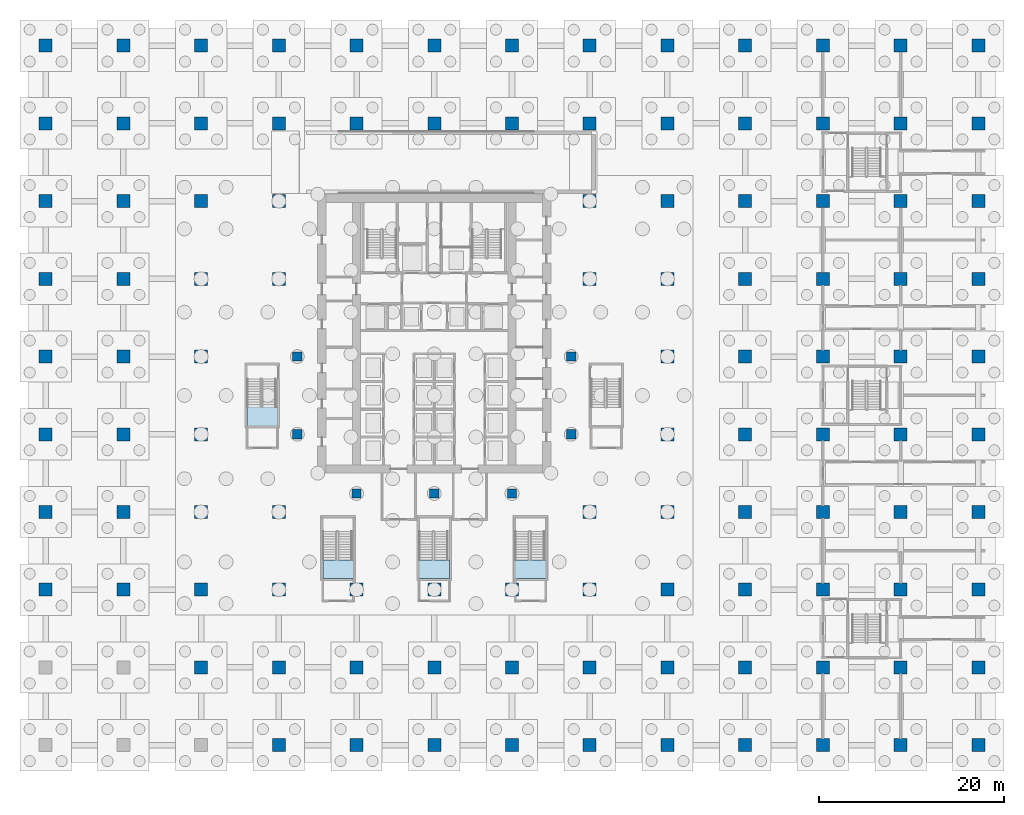
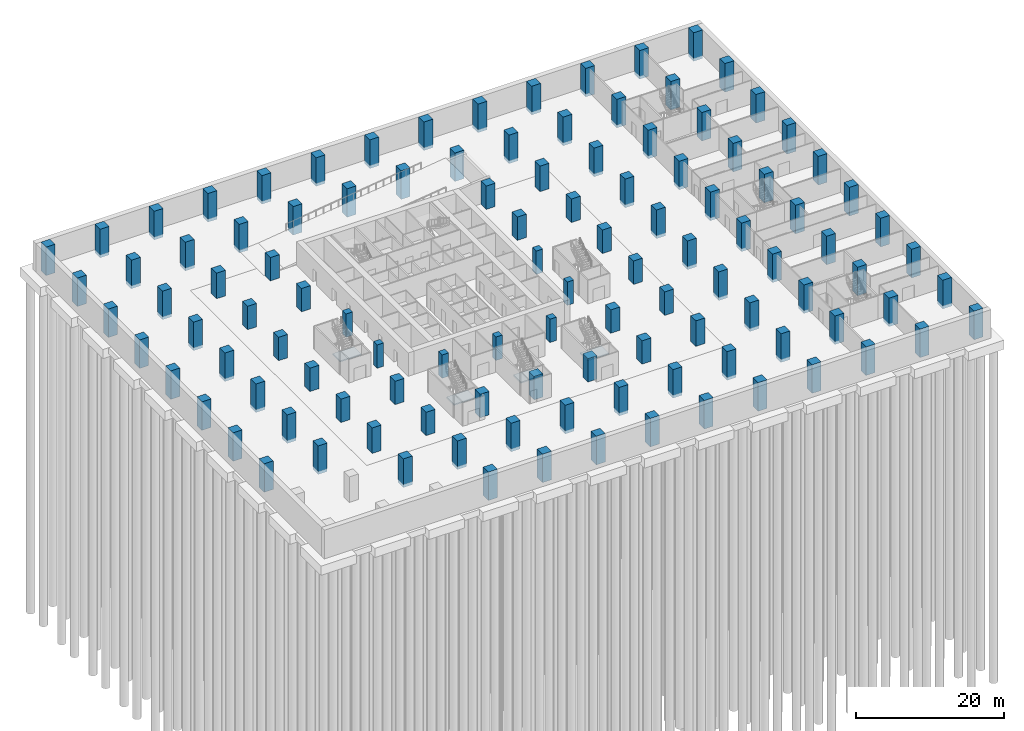
# One storey, part 7 of 22: 113 columns, 4 slabs, 4 elements without a shape of their own.
"""IFC4 building model written with IfcOpenShell, lengths in metres."""

from ifc_helpers import new_model, si_unit, direction, frame, origin, origin_2d, place, context, subcontext, project, spatial, polyline, rectangle, outline, extrude, material, layer, layer_set, material_profile, profile_set, type_object, element, aggregate, save


model = new_model("IFC4")

# Units and contexts
model_context = context("Model", 3, precision=1e-05, world=origin(), true_north=direction((0.0, 1.0)))
body_context = subcontext(model_context, "Body", "Model", "MODEL_VIEW")
ifc_project = project(units=[si_unit("LENGTHUNIT", "METRE"), si_unit("AREAUNIT", "SQUARE_METRE"), si_unit("VOLUMEUNIT", "CUBIC_METRE"), si_unit("PLANEANGLEUNIT", "RADIAN"), si_unit("MASSUNIT", "GRAM", prefix="KILO")], contexts=[model_context])

# Site, building, storey
site_placement = place(None, origin())
site = spatial("IfcSite", under=ifc_project, at=site_placement, CompositionType="ELEMENT")
building_placement = place(site_placement, origin())
building = spatial("IfcBuilding", under=site, at=building_placement, Name="Vermilion Ogive Tower", CompositionType="ELEMENT")
storey_placement = place(building_placement, frame((0.0, 0.0, -8.39990234375)))
storey = spatial("IfcBuildingStorey", under=building, at=storey_placement, Name="B2", CompositionType="ELEMENT", Elevation=-8.39990234375)

# Columns
ifc_material_1 = material(Name="Concrete B80", Category="concrete")
ifc_material_profile_1 = material_profile(ifc_material_1, rectangle(XDim=1.39990234375, YDim=1.39990234375, at=origin_2d()), Name="1400 x 1400")
ifc_profile_set_1 = profile_set([ifc_material_profile_1], Name="Concrete B80")
column_type_1 = type_object("IfcColumnType", Name="Perimeter column 1400 x 1400 B80", PredefinedType="COLUMN", material=ifc_profile_set_1)
for number, where, z_axis, x_axis, name in (
    (1, (-16.800048828125, -21.0, 0.0), (0.0, 0.0, 1.0), (1.0, 0.0, 0.0), "COL-B2-P-0168-210"),
    (2, (-8.39990234375, -21.0, 0.0), (0.0, 0.0, 1.0), (1.0, 0.0, 0.0), "COL-B2-P-0084-210"),
    (3, (0.0, -21.0, 0.0), (0.0, 0.0, 1.0), (1.0, 0.0, 0.0), "COL-B2-P+0000-210"),
    (4, (8.39990234375, -21.0, 0.0), (0.0, 0.0, 1.0), (1.0, 0.0, 0.0), "COL-B2-P+0084-210"),
    (5, (16.800048828125, -21.0, 0.0), (0.0, 0.0, 1.0), (1.0, 0.0, 0.0), "COL-B2-P+0168-210"),
    (6, (-25.199951171875, -12.60009765625, 0.0), (0.0, 0.0, 1.0), (1.0, 0.0, 0.0), "COL-B2-P-0252-126"),
    (7, (-16.800048828125, -12.60009765625, 0.0), (0.0, 0.0, 1.0), (1.0, 0.0, 0.0), "COL-B2-P-0168-126"),
    (8, (16.800048828125, -12.60009765625, 0.0), (0.0, 0.0, 1.0), (1.0, 0.0, 0.0), "COL-B2-P+0168-126"),
    (9, (25.199951171875, -12.60009765625, 0.0), (0.0, 0.0, 1.0), (1.0, 0.0, 0.0), "COL-B2-P+0252-126"),
    (10, (-25.199951171875, -4.199951171875, 0.0), (0.0, 0.0, 1.0), (1.0, 0.0, 0.0), "COL-B2-P-0252-042"),
    (11, (25.199951171875, -4.199951171875, 0.0), (0.0, 0.0, 1.0), (1.0, 0.0, 0.0), "COL-B2-P+0252-042"),
    (12, (-25.199951171875, 4.199951171875, 0.0), (0.0, 0.0, 1.0), (1.0, 0.0, 0.0), "COL-B2-P-0252+042"),
    (13, (25.199951171875, 4.199951171875, 0.0), (0.0, 0.0, 1.0), (1.0, 0.0, 0.0), "COL-B2-P+0252+042"),
    (14, (-25.199951171875, 12.60009765625, 0.0), (0.0, 0.0, 1.0), (1.0, 0.0, 0.0), "COL-B2-P-0252+126"),
    (15, (-16.800048828125, 12.60009765625, 0.0), (0.0, 0.0, 1.0), (1.0, 0.0, 0.0), "COL-B2-P-0168+126"),
    (16, (16.800048828125, 12.60009765625, 0.0), (0.0, 0.0, 1.0), (1.0, 0.0, 0.0), "COL-B2-P+0168+126"),
    (17, (25.199951171875, 12.60009765625, 0.0), (0.0, 0.0, 1.0), (1.0, 0.0, 0.0), "COL-B2-P+0252+126"),
    (18, (-16.800048828125, 21.0, 0.0), (0.0, 0.0, 1.0), (1.0, 0.0, 0.0), "COL-B2-P-0168+210"),
    (19, (16.800048828125, 21.0, 0.0), (0.0, 0.0, 1.0), (1.0, 0.0, 0.0), "COL-B2-P+0168+210"),
):
    element("IfcColumn", number, at=place(storey_placement, frame(where, z_axis=z_axis, x_axis=x_axis)), inside=storey, type_object=column_type_1, Name=name, PredefinedType="COLUMN", context=body_context, shape_type="SweptSolid", body=[
        extrude(rectangle(XDim=1.39990234375, YDim=1.39990234375, at=origin_2d()), origin(), (0.0, 0.0, 1.0), 3.849853515625),
    ])
ifc_material_2 = material(Name="Concrete B60", Category="concrete")
ifc_material_profile_2 = material_profile(ifc_material_2, rectangle(XDim=1.39990234375, YDim=1.39990234375, at=origin_2d()), Name="RC 1400x1400")
ifc_profile_set_2 = profile_set([ifc_material_profile_2], Name="Concrete B60")
column_type_2 = type_object("IfcColumnType", Name="Podium column RC 1400", PredefinedType="COLUMN", material=ifc_profile_set_2)
for number, where, z_axis, x_axis, name in (
    (20, (-16.800048828125, -37.800048828125, -0.5), (0.0, 0.0, 1.0), (1.0, 0.0, 0.0), "Column 1.4 B2"),
    (21, (-8.39990234375, -37.800048828125, -0.5), (0.0, 0.0, 1.0), (1.0, 0.0, 0.0), "Column 1.4 B2"),
    (22, (0.0, -37.800048828125, -0.5), (0.0, 0.0, 1.0), (1.0, 0.0, 0.0), "Column 1.4 B2"),
    (23, (8.39990234375, -37.800048828125, -0.5), (0.0, 0.0, 1.0), (1.0, 0.0, 0.0), "Column 1.4 B2"),
    (24, (16.800048828125, -37.800048828125, -0.5), (0.0, 0.0, 1.0), (1.0, 0.0, 0.0), "Column 1.4 B2"),
    (25, (25.199951171875, -37.800048828125, -0.5), (0.0, 0.0, 1.0), (1.0, 0.0, 0.0), "Column 1.4 B2"),
    (26, (33.60009765625, -37.800048828125, -0.5), (0.0, 0.0, 1.0), (1.0, 0.0, 0.0), "Column 1.4 B2"),
    (27, (42.0, -37.800048828125, -0.5), (0.0, 0.0, 1.0), (1.0, 0.0, 0.0), "Column 1.4 B2"),
    (28, (50.39990234375, -37.800048828125, -0.5), (0.0, 0.0, 1.0), (1.0, 0.0, 0.0), "Column 1.4 B2"),
    (29, (58.800048828125, -37.800048828125, -0.5), (0.0, 0.0, 1.0), (1.0, 0.0, 0.0), "Column 1.4 B2"),
    (30, (-25.199951171875, -29.39990234375, -0.5), (0.0, 0.0, 1.0), (1.0, 0.0, 0.0), "Column 1.4 B2"),
    (31, (-16.800048828125, -29.39990234375, -0.5), (0.0, 0.0, 1.0), (1.0, 0.0, 0.0), "Column 1.4 B2"),
    (32, (-8.39990234375, -29.39990234375, -0.5), (0.0, 0.0, 1.0), (1.0, 0.0, 0.0), "Column 1.4 B2"),
    (33, (0.0, -29.39990234375, -0.5), (0.0, 0.0, 1.0), (1.0, 0.0, 0.0), "Column 1.4 B2"),
    (34, (8.39990234375, -29.39990234375, -0.5), (0.0, 0.0, 1.0), (1.0, 0.0, 0.0), "Column 1.4 B2"),
    (35, (16.800048828125, -29.39990234375, -0.5), (0.0, 0.0, 1.0), (1.0, 0.0, 0.0), "Column 1.4 B2"),
    (36, (25.199951171875, -29.39990234375, -0.5), (0.0, 0.0, 1.0), (1.0, 0.0, 0.0), "Column 1.4 B2"),
    (37, (33.60009765625, -29.39990234375, -0.5), (0.0, 0.0, 1.0), (1.0, 0.0, 0.0), "Column 1.4 B2"),
    (38, (42.0, -29.39990234375, -0.5), (0.0, 0.0, 1.0), (1.0, 0.0, 0.0), "Column 1.4 B2"),
    (39, (50.39990234375, -29.39990234375, -0.5), (0.0, 0.0, 1.0), (1.0, 0.0, 0.0), "Column 1.4 B2"),
    (40, (58.800048828125, -29.39990234375, -0.5), (0.0, 0.0, 1.0), (1.0, 0.0, 0.0), "Column 1.4 B2"),
    (41, (-42.0, -21.0, -0.5), (0.0, 0.0, 1.0), (1.0, 0.0, 0.0), "Column 1.4 B2"),
    (42, (-33.60009765625, -21.0, -0.5), (0.0, 0.0, 1.0), (1.0, 0.0, 0.0), "Column 1.4 B2"),
):
    element("IfcColumn", number, at=place(storey_placement, frame(where, z_axis=z_axis, x_axis=x_axis)), inside=storey, type_object=column_type_2, Name=name, PredefinedType="COLUMN", context=body_context, shape_type="SweptSolid", body=[
        extrude(rectangle(XDim=1.39990234375, YDim=1.39990234375, at=origin_2d()), origin(), (0.0, 0.0, 1.0), 4.699951171875),
    ])
for number, where, z_axis, x_axis, name in (
    (43, (-25.199951171875, -21.0, 0.0), (0.0, 0.0, 1.0), (1.0, 0.0, 0.0), "Column 1.4 B2"),
    (44, (25.199951171875, -21.0, 0.0), (0.0, 0.0, 1.0), (1.0, 0.0, 0.0), "Column 1.4 B2"),
):
    element("IfcColumn", number, at=place(storey_placement, frame(where, z_axis=z_axis, x_axis=x_axis)), inside=storey, type_object=column_type_2, Name=name, PredefinedType="COLUMN", context=body_context, shape_type="SweptSolid", body=[
        extrude(rectangle(XDim=1.39990234375, YDim=1.39990234375, at=origin_2d()), origin(), (0.0, 0.0, 1.0), 4.199951171875),
    ])
for number, where, z_axis, x_axis, name in (
    (45, (33.60009765625, -21.0, -0.5), (0.0, 0.0, 1.0), (1.0, 0.0, 0.0), "Column 1.4 B2"),
    (46, (42.0, -21.0, -0.5), (0.0, 0.0, 1.0), (1.0, 0.0, 0.0), "Column 1.4 B2"),
    (47, (50.39990234375, -21.0, -0.5), (0.0, 0.0, 1.0), (1.0, 0.0, 0.0), "Column 1.4 B2"),
    (48, (58.800048828125, -21.0, -0.5), (0.0, 0.0, 1.0), (1.0, 0.0, 0.0), "Column 1.4 B2"),
    (49, (-42.0, -12.60009765625, -0.5), (0.0, 0.0, 1.0), (1.0, 0.0, 0.0), "Column 1.4 B2"),
    (50, (-33.60009765625, -12.60009765625, -0.5), (0.0, 0.0, 1.0), (1.0, 0.0, 0.0), "Column 1.4 B2"),
    (51, (33.60009765625, -12.60009765625, -0.5), (0.0, 0.0, 1.0), (1.0, 0.0, 0.0), "Column 1.4 B2"),
    (52, (42.0, -12.60009765625, -0.5), (0.0, 0.0, 1.0), (1.0, 0.0, 0.0), "Column 1.4 B2"),
    (53, (50.39990234375, -12.60009765625, -0.5), (0.0, 0.0, 1.0), (1.0, 0.0, 0.0), "Column 1.4 B2"),
    (54, (58.800048828125, -12.60009765625, -0.5), (0.0, 0.0, 1.0), (1.0, 0.0, 0.0), "Column 1.4 B2"),
    (55, (-42.0, -4.199951171875, -0.5), (0.0, 0.0, 1.0), (1.0, 0.0, 0.0), "Column 1.4 B2"),
    (56, (-33.60009765625, -4.199951171875, -0.5), (0.0, 0.0, 1.0), (1.0, 0.0, 0.0), "Column 1.4 B2"),
    (57, (33.60009765625, -4.199951171875, -0.5), (0.0, 0.0, 1.0), (1.0, 0.0, 0.0), "Column 1.4 B2"),
    (58, (42.0, -4.199951171875, -0.5), (0.0, 0.0, 1.0), (1.0, 0.0, 0.0), "Column 1.4 B2"),
    (59, (50.39990234375, -4.199951171875, -0.5), (0.0, 0.0, 1.0), (1.0, 0.0, 0.0), "Column 1.4 B2"),
    (60, (58.800048828125, -4.199951171875, -0.5), (0.0, 0.0, 1.0), (1.0, 0.0, 0.0), "Column 1.4 B2"),
    (61, (-42.0, 4.199951171875, -0.5), (0.0, 0.0, 1.0), (1.0, 0.0, 0.0), "Column 1.4 B2"),
    (62, (-33.60009765625, 4.199951171875, -0.5), (0.0, 0.0, 1.0), (1.0, 0.0, 0.0), "Column 1.4 B2"),
    (63, (33.60009765625, 4.199951171875, -0.5), (0.0, 0.0, 1.0), (1.0, 0.0, 0.0), "Column 1.4 B2"),
    (64, (42.0, 4.199951171875, -0.5), (0.0, 0.0, 1.0), (1.0, 0.0, 0.0), "Column 1.4 B2"),
    (65, (50.39990234375, 4.199951171875, -0.5), (0.0, 0.0, 1.0), (1.0, 0.0, 0.0), "Column 1.4 B2"),
    (66, (58.800048828125, 4.199951171875, -0.5), (0.0, 0.0, 1.0), (1.0, 0.0, 0.0), "Column 1.4 B2"),
    (67, (-42.0, 12.60009765625, -0.5), (0.0, 0.0, 1.0), (1.0, 0.0, 0.0), "Column 1.4 B2"),
    (68, (-33.60009765625, 12.60009765625, -0.5), (0.0, 0.0, 1.0), (1.0, 0.0, 0.0), "Column 1.4 B2"),
    (69, (33.60009765625, 12.60009765625, -0.5), (0.0, 0.0, 1.0), (1.0, 0.0, 0.0), "Column 1.4 B2"),
    (70, (42.0, 12.60009765625, -0.5), (0.0, 0.0, 1.0), (1.0, 0.0, 0.0), "Column 1.4 B2"),
    (71, (50.39990234375, 12.60009765625, -0.5), (0.0, 0.0, 1.0), (1.0, 0.0, 0.0), "Column 1.4 B2"),
    (72, (58.800048828125, 12.60009765625, -0.5), (0.0, 0.0, 1.0), (1.0, 0.0, 0.0), "Column 1.4 B2"),
    (73, (-42.0, 21.0, -0.5), (0.0, 0.0, 1.0), (1.0, 0.0, 0.0), "Column 1.4 B2"),
    (74, (-33.60009765625, 21.0, -0.5), (0.0, 0.0, 1.0), (1.0, 0.0, 0.0), "Column 1.4 B2"),
):
    element("IfcColumn", number, at=place(storey_placement, frame(where, z_axis=z_axis, x_axis=x_axis)), inside=storey, type_object=column_type_2, Name=name, PredefinedType="COLUMN", context=body_context, shape_type="SweptSolid", body=[
        extrude(rectangle(XDim=1.39990234375, YDim=1.39990234375, at=origin_2d()), origin(), (0.0, 0.0, 1.0), 4.699951171875),
    ])
for number, where, z_axis, x_axis, name in (
    (75, (-25.199951171875, 21.0, 0.0), (0.0, 0.0, 1.0), (1.0, 0.0, 0.0), "Column 1.4 B2"),
    (76, (25.199951171875, 21.0, 0.0), (0.0, 0.0, 1.0), (1.0, 0.0, 0.0), "Column 1.4 B2"),
):
    element("IfcColumn", number, at=place(storey_placement, frame(where, z_axis=z_axis, x_axis=x_axis)), inside=storey, type_object=column_type_2, Name=name, PredefinedType="COLUMN", context=body_context, shape_type="SweptSolid", body=[
        extrude(rectangle(XDim=1.39990234375, YDim=1.39990234375, at=origin_2d()), origin(), (0.0, 0.0, 1.0), 4.199951171875),
    ])
for number, where, z_axis, x_axis, name in (
    (77, (33.60009765625, 21.0, -0.5), (0.0, 0.0, 1.0), (1.0, 0.0, 0.0), "Column 1.4 B2"),
    (78, (42.0, 21.0, -0.5), (0.0, 0.0, 1.0), (1.0, 0.0, 0.0), "Column 1.4 B2"),
    (79, (50.39990234375, 21.0, -0.5), (0.0, 0.0, 1.0), (1.0, 0.0, 0.0), "Column 1.4 B2"),
    (80, (58.800048828125, 21.0, -0.5), (0.0, 0.0, 1.0), (1.0, 0.0, 0.0), "Column 1.4 B2"),
    (81, (-42.0, 29.39990234375, -0.5), (0.0, 0.0, 1.0), (1.0, 0.0, 0.0), "Column 1.4 B2"),
    (82, (-33.60009765625, 29.39990234375, -0.5), (0.0, 0.0, 1.0), (1.0, 0.0, 0.0), "Column 1.4 B2"),
    (83, (-25.199951171875, 29.39990234375, -0.5), (0.0, 0.0, 1.0), (1.0, 0.0, 0.0), "Column 1.4 B2"),
    (84, (-16.800048828125, 29.39990234375, -0.5), (0.0, 0.0, 1.0), (1.0, 0.0, 0.0), "Column 1.4 B2"),
    (85, (-8.39990234375, 29.39990234375, -0.5), (0.0, 0.0, 1.0), (1.0, 0.0, 0.0), "Column 1.4 B2"),
    (86, (0.0, 29.39990234375, -0.5), (0.0, 0.0, 1.0), (1.0, 0.0, 0.0), "Column 1.4 B2"),
    (87, (8.39990234375, 29.39990234375, -0.5), (0.0, 0.0, 1.0), (1.0, 0.0, 0.0), "Column 1.4 B2"),
    (88, (16.800048828125, 29.39990234375, -0.5), (0.0, 0.0, 1.0), (1.0, 0.0, 0.0), "Column 1.4 B2"),
    (89, (25.199951171875, 29.39990234375, -0.5), (0.0, 0.0, 1.0), (1.0, 0.0, 0.0), "Column 1.4 B2"),
    (90, (33.60009765625, 29.39990234375, -0.5), (0.0, 0.0, 1.0), (1.0, 0.0, 0.0), "Column 1.4 B2"),
    (91, (42.0, 29.39990234375, -0.5), (0.0, 0.0, 1.0), (1.0, 0.0, 0.0), "Column 1.4 B2"),
    (92, (50.39990234375, 29.39990234375, -0.5), (0.0, 0.0, 1.0), (1.0, 0.0, 0.0), "Column 1.4 B2"),
    (93, (58.800048828125, 29.39990234375, -0.5), (0.0, 0.0, 1.0), (1.0, 0.0, 0.0), "Column 1.4 B2"),
    (94, (-42.0, 37.800048828125, -0.5), (0.0, 0.0, 1.0), (1.0, 0.0, 0.0), "Column 1.4 B2"),
    (95, (-33.60009765625, 37.800048828125, -0.5), (0.0, 0.0, 1.0), (1.0, 0.0, 0.0), "Column 1.4 B2"),
    (96, (-25.199951171875, 37.800048828125, -0.5), (0.0, 0.0, 1.0), (1.0, 0.0, 0.0), "Column 1.4 B2"),
    (97, (-16.800048828125, 37.800048828125, -0.5), (0.0, 0.0, 1.0), (1.0, 0.0, 0.0), "Column 1.4 B2"),
    (98, (-8.39990234375, 37.800048828125, -0.5), (0.0, 0.0, 1.0), (1.0, 0.0, 0.0), "Column 1.4 B2"),
    (99, (0.0, 37.800048828125, -0.5), (0.0, 0.0, 1.0), (1.0, 0.0, 0.0), "Column 1.4 B2"),
    (100, (8.39990234375, 37.800048828125, -0.5), (0.0, 0.0, 1.0), (1.0, 0.0, 0.0), "Column 1.4 B2"),
    (101, (16.800048828125, 37.800048828125, -0.5), (0.0, 0.0, 1.0), (1.0, 0.0, 0.0), "Column 1.4 B2"),
    (102, (25.199951171875, 37.800048828125, -0.5), (0.0, 0.0, 1.0), (1.0, 0.0, 0.0), "Column 1.4 B2"),
    (103, (33.60009765625, 37.800048828125, -0.5), (0.0, 0.0, 1.0), (1.0, 0.0, 0.0), "Column 1.4 B2"),
    (104, (42.0, 37.800048828125, -0.5), (0.0, 0.0, 1.0), (1.0, 0.0, 0.0), "Column 1.4 B2"),
    (105, (50.39990234375, 37.800048828125, -0.5), (0.0, 0.0, 1.0), (1.0, 0.0, 0.0), "Column 1.4 B2"),
    (106, (58.800048828125, 37.800048828125, -0.5), (0.0, 0.0, 1.0), (1.0, 0.0, 0.0), "Column 1.4 B2"),
):
    element("IfcColumn", number, at=place(storey_placement, frame(where, z_axis=z_axis, x_axis=x_axis)), inside=storey, type_object=column_type_2, Name=name, PredefinedType="COLUMN", context=body_context, shape_type="SweptSolid", body=[
        extrude(rectangle(XDim=1.39990234375, YDim=1.39990234375, at=origin_2d()), origin(), (0.0, 0.0, 1.0), 4.699951171875),
    ])
ifc_material_3 = material(Name="Concrete B80", Category="concrete")
ifc_material_profile_3 = material_profile(ifc_material_3, rectangle(XDim=1.0, YDim=1.0, at=origin_2d()), Name="1000 x 1000")
ifc_profile_set_3 = profile_set([ifc_material_profile_3], Name="Concrete B80")
column_type_3 = type_object("IfcColumnType", Name="Ring column 1000 x 1000 B80", PredefinedType="COLUMN", material=ifc_profile_set_3)
for number, where, z_axis, x_axis, name in (
    (107, (-8.39990234375, -10.60009765625, 0.0), (0.0, 0.0, 1.0), (1.0, 0.0, 0.0), "COL-B2-R-0084-106"),
    (108, (0.0, -10.60009765625, 0.0), (0.0, 0.0, 1.0), (1.0, 0.0, 0.0), "COL-B2-R+0000-106"),
    (109, (8.39990234375, -10.60009765625, 0.0), (0.0, 0.0, 1.0), (1.0, 0.0, 0.0), "COL-B2-R+0084-106"),
    (110, (-14.800048828125, -4.199951171875, 0.0), (0.0, 0.0, 1.0), (1.0, 0.0, 0.0), "COL-B2-R-0148-042"),
    (111, (14.800048828125, -4.199951171875, 0.0), (0.0, 0.0, 1.0), (1.0, 0.0, 0.0), "COL-B2-R+0148-042"),
    (112, (-14.800048828125, 4.199951171875, 0.0), (0.0, 0.0, 1.0), (1.0, 0.0, 0.0), "COL-B2-R-0148+042"),
    (113, (14.800048828125, 4.199951171875, 0.0), (0.0, 0.0, 1.0), (1.0, 0.0, 0.0), "COL-B2-R+0148+042"),
):
    element("IfcColumn", number, at=place(storey_placement, frame(where, z_axis=z_axis, x_axis=x_axis)), inside=storey, type_object=column_type_3, Name=name, PredefinedType="COLUMN", context=body_context, shape_type="SweptSolid", body=[
        extrude(rectangle(XDim=1.0, YDim=1.0, at=origin_2d()), origin(), (0.0, 0.0, 1.0), 3.849853515625),
    ])

# Stair, slab
ifc_material_4 = material(Name="Concrete B40", Category="concrete")
stair_type = type_object("IfcStairType", Name="Exit stair 1500", PredefinedType="HALF_TURN_STAIR", material=ifc_material_4)
stair_1_placement = place(storey_placement, origin())
stair_1 = element("IfcStair", 114, at=stair_1_placement, inside=storey, type_object=stair_type, Name="B2 Exit Stair ST3", PredefinedType="HALF_TURN_STAIR")
ifc_material_5 = material(Name="Concrete B40", Category="concrete")
ifc_layer = layer(ifc_material_5, 0.199951171875)
ifc_layer_set = layer_set([ifc_layer], Name="Stair landing 200")
slab_type = type_object("IfcSlabType", Name="Stair landing 200", PredefinedType="LANDING", material=ifc_layer_set)
slab_1_placement = place(storey_placement, frame((0.0, 0.0, 1.89990234375)))
slab_1 = element("IfcSlab", 115, at=slab_1_placement, type_object=slab_type, Name="ST3 landing 1", PredefinedType="LANDING", context=body_context, shape_type="SweptSolid", body=[
    extrude(outline(polyline([(-8.75, -17.780029296875), (-8.89990234375, -17.780029296875), (-8.89990234375, -17.778076171875), (-10.39990234375, -17.778076171875), (-10.39990234375, -17.780029296875), (-10.550048828125, -17.780029296875), (-10.550048828125, -17.778076171875), (-12.050048828125, -17.778076171875), (-12.050048828125, -19.800048828125), (-8.75, -19.800048828125), (-8.75, -17.780029296875)])), origin(), (0.0, 0.0, 1.0), 0.199951171875),
])
aggregate(stair_1, [slab_1])

stair_2_placement = place(storey_placement, origin())
stair_2 = element("IfcStair", 116, at=stair_2_placement, inside=storey, type_object=stair_type, Name="B2 Exit Stair ST4", PredefinedType="HALF_TURN_STAIR")
slab_2_placement = place(storey_placement, frame((0.0, 0.0, 1.89990234375)))
slab_2 = element("IfcSlab", 117, at=slab_2_placement, type_object=slab_type, Name="ST4 landing 1", PredefinedType="LANDING", context=body_context, shape_type="SweptSolid", body=[
    extrude(outline(polyline([(1.64990234375, -17.780029296875), (1.5, -17.780029296875), (1.5, -17.778076171875), (0.0, -17.778076171875), (0.0, -17.780029296875), (-0.14990234375, -17.780029296875), (-0.14990234375, -17.778076171875), (-1.64990234375, -17.778076171875), (-1.64990234375, -19.800048828125), (1.64990234375, -19.800048828125), (1.64990234375, -17.780029296875)])), origin(), (0.0, 0.0, 1.0), 0.199951171875),
])
aggregate(stair_2, [slab_2])

stair_3_placement = place(storey_placement, origin())
stair_3 = element("IfcStair", 118, at=stair_3_placement, inside=storey, type_object=stair_type, Name="B2 Exit Stair ST5", PredefinedType="HALF_TURN_STAIR")
slab_3_placement = place(storey_placement, frame((0.0, 0.0, 1.89990234375)))
slab_3 = element("IfcSlab", 119, at=slab_3_placement, type_object=slab_type, Name="ST5 landing 1", PredefinedType="LANDING", context=body_context, shape_type="SweptSolid", body=[
    extrude(outline(polyline([(12.050048828125, -17.780029296875), (11.89990234375, -17.780029296875), (11.89990234375, -17.778076171875), (10.39990234375, -17.778076171875), (10.39990234375, -17.780029296875), (10.25, -17.780029296875), (10.25, -17.778076171875), (8.75, -17.778076171875), (8.75, -19.800048828125), (12.050048828125, -19.800048828125), (12.050048828125, -17.780029296875)])), origin(), (0.0, 0.0, 1.0), 0.199951171875),
])
aggregate(stair_3, [slab_3])

stair_4_placement = place(storey_placement, origin())
stair_4 = element("IfcStair", 120, at=stair_4_placement, inside=storey, type_object=stair_type, Name="B2 Exit Stair ST9", PredefinedType="HALF_TURN_STAIR")
slab_4_placement = place(storey_placement, frame((0.0, 0.0, 1.89990234375)))
slab_4 = element("IfcSlab", 121, at=slab_4_placement, type_object=slab_type, Name="ST9 landing 1", PredefinedType="LANDING", context=body_context, shape_type="SweptSolid", body=[
    extrude(outline(polyline([(-16.949951171875, -1.280029296875), (-17.10009765625, -1.280029296875), (-17.10009765625, -1.278076171875), (-18.60009765625, -1.278076171875), (-18.60009765625, -1.280029296875), (-18.75, -1.280029296875), (-18.75, -1.278076171875), (-20.25, -1.278076171875), (-20.25, -3.300048828125), (-16.949951171875, -3.300048828125), (-16.949951171875, -1.280029296875)])), origin(), (0.0, 0.0, 1.0), 0.199951171875),
])
aggregate(stair_4, [slab_4])

save(model, "model.ifc")
